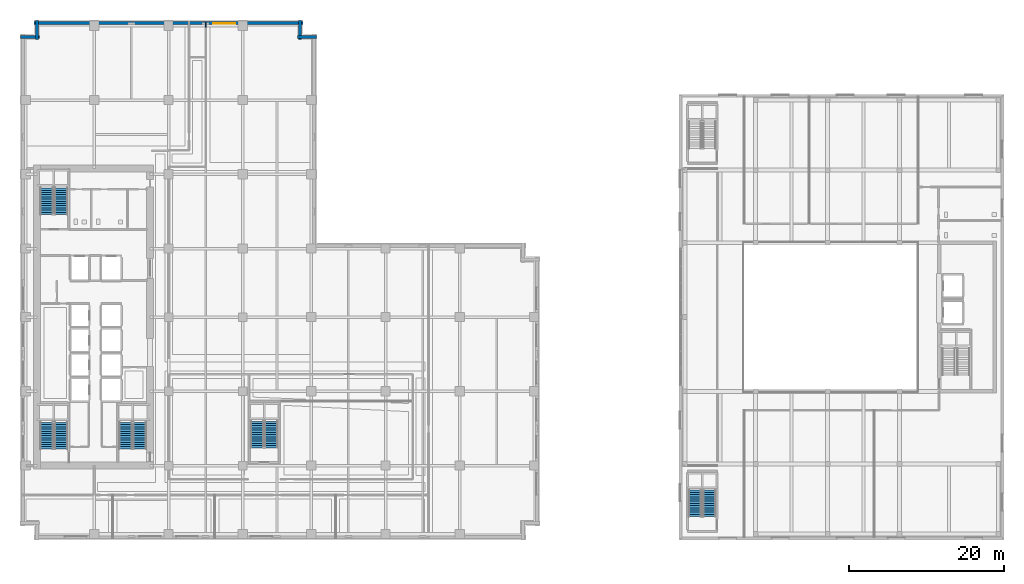
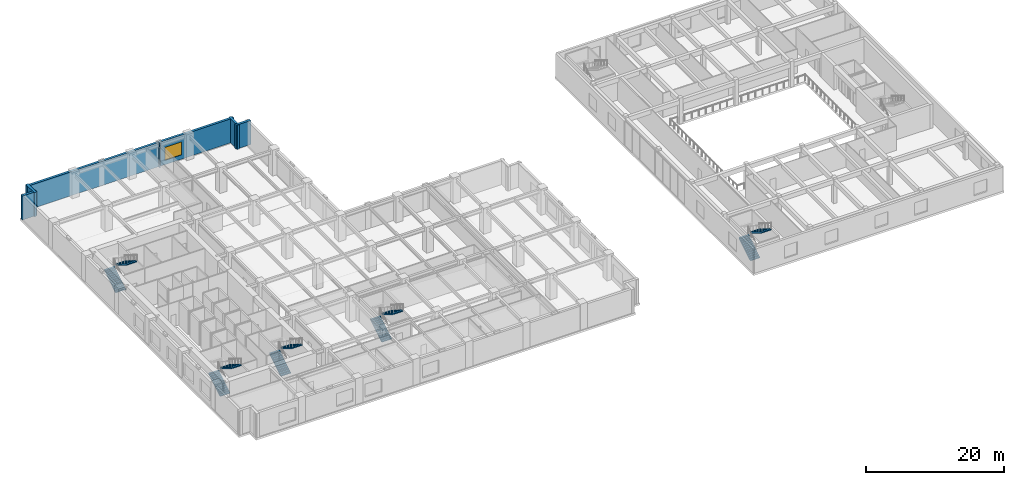
# One storey, part 12 of 24: 10 stair flights, 6 walls, 1 window, 1 opening, 5 elements without a shape of their own.
"""IFC4 building model written with IfcOpenShell, lengths in metres."""

from ifc_helpers import new_model, si_unit, direction, frame, frame_2d, origin, place, context, subcontext, project, spatial, polyline, rectangle, outline, extrude, material, layer, layer_set, type_object, element, fill, aggregate, save


model = new_model("IFC4")

# Units and contexts
model_context = context("Model", 3, precision=1e-05, world=origin(), true_north=direction((0.0, 1.0)))
body_context = subcontext(model_context, "Body", "Model", "MODEL_VIEW")
ifc_project = project(units=[si_unit("LENGTHUNIT", "METRE"), si_unit("AREAUNIT", "SQUARE_METRE"), si_unit("VOLUMEUNIT", "CUBIC_METRE"), si_unit("PLANEANGLEUNIT", "RADIAN"), si_unit("MASSUNIT", "GRAM", prefix="KILO")], contexts=[model_context])

# Site, building, storey
site_placement = place(None, origin())
site = spatial("IfcSite", under=ifc_project, at=site_placement, CompositionType="ELEMENT")
building_placement = place(site_placement, origin())
building = spatial("IfcBuilding", under=site, at=building_placement, Name="Norrvale University Quadrangle", CompositionType="ELEMENT")
storey_placement = place(building_placement, frame((0.0, 0.0, 10.39990234375)))
storey = spatial("IfcBuildingStorey", under=building, at=storey_placement, Name="L02", CompositionType="ELEMENT", Elevation=10.39990234375)

# Walls
ifc_material_1 = material(Name="Fire-Rated Gypsum Stud Partition")
ifc_layer_1 = layer(ifc_material_1, 0.14990234375, Name="Fire-Rated Gypsum Stud Partition")
ifc_layer_set_1 = layer_set([ifc_layer_1], Name="Fire-Rated Gypsum Stud Partition")
wall_type_1 = type_object("IfcWallType", Name="Wall Gypsum Corridor 150", PredefinedType="PARTITIONING", material=ifc_layer_set_1)
wall_1_placement = place(storey_placement, frame((24.0, 66.28759765625, 0.0), z_axis=(0.0, 0.0, 1.0), x_axis=(0.0, 1.0, 0.0)))
element("IfcWall", 1, at=wall_1_placement, inside=storey, type_object=wall_type_1, Name="Interior Partition WL-L02-NECW-B4", PredefinedType="PARTITIONING", context=body_context, shape_type="SweptSolid", body=[
    extrude(rectangle(XDim=0.6923828125, YDim=0.14990234375, at=frame_2d((0.34619140625, 0.0))), origin(), (0.0, 0.0, 1.0), 4.260009765625),
])
ifc_material_2 = material(Name="Red Manganese Brick Masonry", Category="masonry")
ifc_layer_2 = layer(ifc_material_2, 0.39990234375, Name="Red Manganese Brick Masonry")
ifc_layer_set_2 = layer_set([ifc_layer_2], Name="Red Manganese Brick Masonry")
wall_type_2 = type_object("IfcWallType", Name="Wall Red Brick 400", PredefinedType="SOLIDWALL", material=ifc_layer_set_2)
wall_2_placement = place(storey_placement, frame((38.360107421875, 65.02001953125, 0.0), z_axis=(0.0, 0.0, 1.0), x_axis=(-1.0, 0.0, 0.0)))
element("IfcWall", 2, at=wall_2_placement, inside=storey, type_object=wall_type_2, Name="Exterior Brick Facade Wall L02-09.1", PredefinedType="SOLIDWALL", context=body_context, shape_type="SweptSolid", body=[
    extrude(rectangle(XDim=2.480224609375, YDim=0.39990234375, at=frame_2d((1.240234375, 0.0))), origin(), (0.0, 0.0, 1.0), 4.260009765625),
])
wall_3_placement = place(storey_placement, frame((36.219970703125, 64.679931640625, 0.0), z_axis=(0.0, 0.0, 1.0), x_axis=(0.0, 1.0, 0.0)))
element("IfcWall", 3, at=wall_3_placement, inside=storey, type_object=wall_type_2, Name="Exterior Brick Facade Wall L02-10.1", PredefinedType="SOLIDWALL", context=body_context, shape_type="SweptSolid", body=[
    extrude(rectangle(XDim=2.47998046875, YDim=0.39990234375, at=frame_2d((1.239990234375, 0.0))), origin(), (0.0, 0.0, 1.0), 4.260009765625),
])

# Wall, opening, window
wall_4_placement = place(storey_placement, frame((36.56005859375, 66.820068359375, 0.0), z_axis=(0.0, 0.0, 1.0), x_axis=(-1.0, 0.0, 0.0)))
wall_4 = element("IfcWall", 4, at=wall_4_placement, inside=storey, type_object=wall_type_2, Name="Exterior Brick Facade Wall L02-11.1", PredefinedType="SOLIDWALL", context=body_context, shape_type="SweptSolid", body=[
    extrude(rectangle(XDim=34.719970703125, YDim=0.39990234375, at=frame_2d((17.35986328125, 0.0))), origin(), (0.0, 0.0, 1.0), 4.260009765625),
])
opening_placement = place(wall_4_placement, frame((8.760009765625, 0.0, 0.75)))
opening = element("IfcOpeningElement", 5, at=opening_placement, cuts=wall_4, Name="Opening W05", PredefinedType="OPENING", context=body_context, shape_type="SweptSolid", body=[
    extrude(rectangle(XDim=2.800048828125, YDim=2.300048828125, at=frame_2d((1.39990234375, 1.14990234375))), frame((0.0, 0.2119140625, 0.0), z_axis=(0.0, -1.0, 0.0), x_axis=(1.0, 0.0, 0.0)), (0.0, 0.0, 1.0), 0.423828125),
])
ifc_material_3 = material(Name="Bird-Friendly Fritted Triple Glazing", Category="glass")
window_type = type_object("IfcWindowType", Name="Window Podium 2800x2800", PartitioningType="TRIPLE_PANEL_VERTICAL", PredefinedType="WINDOW", material=ifc_material_3)
window_placement = place(opening_placement, origin())
window = element("IfcWindow", 6, at=window_placement, inside=storey, type_object=window_type, Name="Window Podium 2800x2800 WIN-L02-E11-1-01", OverallHeight=2.300048828125, OverallWidth=2.800048828125, PartitioningType="TRIPLE_PANEL_VERTICAL", PredefinedType="WINDOW", context=body_context, shape_type="SweptSolid", body=[
    extrude(rectangle(XDim=2.800048828125, YDim=2.300048828125, at=frame_2d((1.39990234375, 1.14990234375))), frame((0.0, 0.110107421875, 0.0), z_axis=(0.0, -1.0, 0.0), x_axis=(1.0, 0.0, 0.0)), (0.0, 0.0, 1.0), 0.06005859375),
])
fill(opening, window)

# Walls
for number, where, z_axis, x_axis, name in (
    (7, (2.179931640625, 67.159912109375, 0.0), (0.0, 0.0, 1.0), (0.0, -1.0, 0.0), "Exterior Brick Facade Wall L02-12.1"),
    (8, (2.52001953125, 65.02001953125, 0.0), (0.0, 0.0, 1.0), (-1.0, 0.0, 0.0), "Exterior Brick Facade Wall L02-13.1"),
):
    element("IfcWall", number, at=place(storey_placement, frame(where, z_axis=z_axis, x_axis=x_axis)), inside=storey, type_object=wall_type_2, Name=name, PredefinedType="SOLIDWALL", context=body_context, shape_type="SweptSolid", body=[
        extrude(rectangle(XDim=2.47998046875, YDim=0.39990234375, at=frame_2d((1.239990234375, 0.0))), origin(), (0.0, 0.0, 1.0), 4.260009765625),
    ])

# Stair, stair flights
ifc_material_4 = material(Name="Concrete C40/50", Category="concrete")
stair_type_1 = type_object("IfcStairType", Name="Stair Lib 4600", PredefinedType="TWO_STRAIGHT_RUN_STAIR", material=ifc_material_4)
stair_1_placement = place(storey_placement, origin())
stair_1 = element("IfcStair", 9, at=stair_1_placement, inside=storey, type_object=stair_type_1, Name="Exit Stair ST-L2 L02", PredefinedType="TWO_STRAIGHT_RUN_STAIR")
stair_flight_type_1 = type_object("IfcStairFlightType", Name="Flight Lib 1550", PredefinedType="STRAIGHT", material=ifc_material_4)
stair_flight_1_placement = place(storey_placement, frame((87.25, 3.0, 0.0), z_axis=(0.0, 0.0, 1.0), x_axis=(0.0, 1.0, 0.0)))
stair_flight_1 = element("IfcStairFlight", 10, at=stair_flight_1_placement, type_object=stair_flight_type_1, Name="Exit Stair ST-L2 L02 Lower Flight", NumberOfRisers=13, NumberOfTreads=12, PredefinedType="STRAIGHT", RiserHeight=0.176923, TreadLength=0.285, context=body_context, shape_type="SweptSolid", body=[
    extrude(outline(polyline([(0.0, 0.0), (0.0, 0.177001953125), (0.284912109375, 0.177001953125), (0.284912109375, 0.353759765625), (0.570068359375, 0.353759765625), (0.570068359375, 0.53076171875), (0.85498046875, 0.53076171875), (0.85498046875, 0.707763671875), (1.139892578125, 0.707763671875), (1.139892578125, 0.884521484375), (1.425048828125, 0.884521484375), (1.425048828125, 1.0615234375), (1.7099609375, 1.0615234375), (1.7099609375, 1.238525390625), (1.9951171875, 1.238525390625), (1.9951171875, 1.415283203125), (2.280029296875, 1.415283203125), (2.280029296875, 1.59228515625), (2.56494140625, 1.59228515625), (2.56494140625, 1.769287109375), (2.85009765625, 1.769287109375), (2.85009765625, 1.946044921875), (3.135009765625, 1.946044921875), (3.135009765625, 2.123046875), (3.419921875, 2.123046875), (3.419921875, 2.300048828125), (3.419921875, 1.934814453125), (0.30322265625, 0.0), (0.0, 0.0)])), frame((0.0, 0.81005859375, 0.0), z_axis=(0.0, -1.0, 0.0), x_axis=(1.0, 0.0, 0.0)), (0.0, 0.0, 1.0), 1.6201171875),
])
stair_flight_2_placement = place(storey_placement, frame((89.14990234375, 6.419921875, 2.300048828125), z_axis=(0.0, 0.0, 1.0), x_axis=(0.0, -1.0, 0.0)))
stair_flight_2 = element("IfcStairFlight", 11, at=stair_flight_2_placement, type_object=stair_flight_type_1, Name="Exit Stair ST-L2 L02 Upper Flight", NumberOfRisers=13, NumberOfTreads=12, PredefinedType="STRAIGHT", RiserHeight=0.176923, TreadLength=0.285, context=body_context, shape_type="SweptSolid", body=[
    extrude(outline(polyline([(0.0, 0.0), (0.0, 0.177001953125), (0.284912109375, 0.177001953125), (0.284912109375, 0.353759765625), (0.570068359375, 0.353759765625), (0.570068359375, 0.53076171875), (0.85498046875, 0.53076171875), (0.85498046875, 0.707763671875), (1.139892578125, 0.707763671875), (1.139892578125, 0.884521484375), (1.425048828125, 0.884521484375), (1.425048828125, 1.0615234375), (1.7099609375, 1.0615234375), (1.7099609375, 1.238525390625), (1.9951171875, 1.238525390625), (1.9951171875, 1.415283203125), (2.280029296875, 1.415283203125), (2.280029296875, 1.59228515625), (2.56494140625, 1.59228515625), (2.56494140625, 1.769287109375), (2.85009765625, 1.769287109375), (2.85009765625, 1.946044921875), (3.135009765625, 1.946044921875), (3.135009765625, 2.123046875), (3.419921875, 2.123046875), (3.419921875, 2.300048828125), (3.419921875, 1.934814453125), (0.30322265625, 0.0), (0.0, 0.0)])), frame((0.0, 0.81005859375, 0.0), z_axis=(0.0, -1.0, 0.0), x_axis=(1.0, 0.0, 0.0)), (0.0, 0.0, 1.0), 1.6201171875),
])
aggregate(stair_1, [stair_flight_1, stair_flight_2])

stair_type_2 = type_object("IfcStairType", Name="Stair Tower Pod 4600", PredefinedType="TWO_STRAIGHT_RUN_STAIR", material=ifc_material_4)
stair_2_placement = place(storey_placement, origin())
stair_2 = element("IfcStair", 12, at=stair_2_placement, inside=storey, type_object=stair_type_2, Name="Exit Stair ST-01 L02", PredefinedType="TWO_STRAIGHT_RUN_STAIR")
stair_flight_type_2 = type_object("IfcStairFlightType", Name="Flight Typ 1500", PredefinedType="STRAIGHT", material=ifc_material_4)
stair_flight_3_placement = place(storey_placement, frame((3.429931640625, 11.75, 0.0), z_axis=(0.0, 0.0, 1.0), x_axis=(0.0, 1.0, 0.0)))
stair_flight_3 = element("IfcStairFlight", 13, at=stair_flight_3_placement, type_object=stair_flight_type_2, Name="Exit Stair ST-01 L02 Lower Flight", NumberOfRisers=13, NumberOfTreads=12, PredefinedType="STRAIGHT", RiserHeight=0.176923, TreadLength=0.285, context=body_context, shape_type="SweptSolid", body=[
    extrude(outline(polyline([(0.0, 0.0), (0.0, 0.177001953125), (0.284912109375, 0.177001953125), (0.284912109375, 0.353759765625), (0.570068359375, 0.353759765625), (0.570068359375, 0.53076171875), (0.85498046875, 0.53076171875), (0.85498046875, 0.707763671875), (1.139892578125, 0.707763671875), (1.139892578125, 0.884521484375), (1.425048828125, 0.884521484375), (1.425048828125, 1.0615234375), (1.7099609375, 1.0615234375), (1.7099609375, 1.238525390625), (1.9951171875, 1.238525390625), (1.9951171875, 1.415283203125), (2.280029296875, 1.415283203125), (2.280029296875, 1.59228515625), (2.56494140625, 1.59228515625), (2.56494140625, 1.769287109375), (2.85009765625, 1.769287109375), (2.85009765625, 1.946044921875), (3.135009765625, 1.946044921875), (3.135009765625, 2.123046875), (3.419921875, 2.123046875), (3.419921875, 2.300048828125), (3.419921875, 1.946533203125), (0.2841796875, 0.0), (0.0, 0.0)])), frame((0.0, 0.83984375, 0.0), z_axis=(0.0, -1.0, 0.0), x_axis=(1.0, 0.0, 0.0)), (0.0, 0.0, 1.0), 1.679931640625),
])
stair_flight_4_placement = place(storey_placement, frame((5.320068359375, 15.169921875, 2.300048828125), z_axis=(0.0, 0.0, 1.0), x_axis=(0.0, -1.0, 0.0)))
stair_flight_4 = element("IfcStairFlight", 14, at=stair_flight_4_placement, type_object=stair_flight_type_2, Name="Exit Stair ST-01 L02 Upper Flight", NumberOfRisers=13, NumberOfTreads=12, PredefinedType="STRAIGHT", RiserHeight=0.176923, TreadLength=0.285, context=body_context, shape_type="SweptSolid", body=[
    extrude(outline(polyline([(0.0, 0.0), (0.0, 0.177001953125), (0.284912109375, 0.177001953125), (0.284912109375, 0.353759765625), (0.570068359375, 0.353759765625), (0.570068359375, 0.53076171875), (0.85498046875, 0.53076171875), (0.85498046875, 0.707763671875), (1.139892578125, 0.707763671875), (1.139892578125, 0.884521484375), (1.425048828125, 0.884521484375), (1.425048828125, 1.0615234375), (1.7099609375, 1.0615234375), (1.7099609375, 1.238525390625), (1.9951171875, 1.238525390625), (1.9951171875, 1.415283203125), (2.280029296875, 1.415283203125), (2.280029296875, 1.59228515625), (2.56494140625, 1.59228515625), (2.56494140625, 1.769287109375), (2.85009765625, 1.769287109375), (2.85009765625, 1.946044921875), (3.135009765625, 1.946044921875), (3.135009765625, 2.123046875), (3.419921875, 2.123046875), (3.419921875, 2.300048828125), (3.419921875, 1.946533203125), (0.2841796875, 0.0), (0.0, 0.0)])), frame((0.0, 0.83984375, 0.0), z_axis=(0.0, -1.0, 0.0), x_axis=(1.0, 0.0, 0.0)), (0.0, 0.0, 1.0), 1.679931640625),
])
aggregate(stair_2, [stair_flight_3, stair_flight_4])

stair_3_placement = place(storey_placement, origin())
stair_3 = element("IfcStair", 15, at=stair_3_placement, inside=storey, type_object=stair_type_2, Name="Exit Stair ST-02 L02", PredefinedType="TWO_STRAIGHT_RUN_STAIR")
stair_flight_5_placement = place(storey_placement, frame((3.429931640625, 42.050048828125, 0.0), z_axis=(0.0, 0.0, 1.0), x_axis=(0.0, 1.0, 0.0)))
stair_flight_5 = element("IfcStairFlight", 16, at=stair_flight_5_placement, type_object=stair_flight_type_2, Name="Exit Stair ST-02 L02 Lower Flight", NumberOfRisers=13, NumberOfTreads=12, PredefinedType="STRAIGHT", RiserHeight=0.176923, TreadLength=0.285, context=body_context, shape_type="SweptSolid", body=[
    extrude(outline(polyline([(0.0, 0.0), (0.0, 0.177001953125), (0.284912109375, 0.177001953125), (0.284912109375, 0.353759765625), (0.570068359375, 0.353759765625), (0.570068359375, 0.53076171875), (0.85498046875, 0.53076171875), (0.85498046875, 0.707763671875), (1.139892578125, 0.707763671875), (1.139892578125, 0.884521484375), (1.425048828125, 0.884521484375), (1.425048828125, 1.0615234375), (1.7099609375, 1.0615234375), (1.7099609375, 1.238525390625), (1.9951171875, 1.238525390625), (1.9951171875, 1.415283203125), (2.280029296875, 1.415283203125), (2.280029296875, 1.59228515625), (2.56494140625, 1.59228515625), (2.56494140625, 1.769287109375), (2.85009765625, 1.769287109375), (2.85009765625, 1.946044921875), (3.135009765625, 1.946044921875), (3.135009765625, 2.123046875), (3.419921875, 2.123046875), (3.419921875, 2.300048828125), (3.419921875, 1.946533203125), (0.2841796875, 0.0), (0.0, 0.0)])), frame((0.0, 0.83984375, 0.0), z_axis=(0.0, -1.0, 0.0), x_axis=(1.0, 0.0, 0.0)), (0.0, 0.0, 1.0), 1.679931640625),
])
stair_flight_6_placement = place(storey_placement, frame((5.320068359375, 45.469970703125, 2.300048828125), z_axis=(0.0, 0.0, 1.0), x_axis=(0.0, -1.0, 0.0)))
stair_flight_6 = element("IfcStairFlight", 17, at=stair_flight_6_placement, type_object=stair_flight_type_2, Name="Exit Stair ST-02 L02 Upper Flight", NumberOfRisers=13, NumberOfTreads=12, PredefinedType="STRAIGHT", RiserHeight=0.176923, TreadLength=0.285, context=body_context, shape_type="SweptSolid", body=[
    extrude(outline(polyline([(0.0, 0.0), (0.0, 0.177001953125), (0.284912109375, 0.177001953125), (0.284912109375, 0.353759765625), (0.570068359375, 0.353759765625), (0.570068359375, 0.53076171875), (0.85498046875, 0.53076171875), (0.85498046875, 0.707763671875), (1.139892578125, 0.707763671875), (1.139892578125, 0.884521484375), (1.425048828125, 0.884521484375), (1.425048828125, 1.0615234375), (1.7099609375, 1.0615234375), (1.7099609375, 1.238525390625), (1.9951171875, 1.238525390625), (1.9951171875, 1.415283203125), (2.280029296875, 1.415283203125), (2.280029296875, 1.59228515625), (2.56494140625, 1.59228515625), (2.56494140625, 1.769287109375), (2.85009765625, 1.769287109375), (2.85009765625, 1.946044921875), (3.135009765625, 1.946044921875), (3.135009765625, 2.123046875), (3.419921875, 2.123046875), (3.419921875, 2.300048828125), (3.419921875, 1.946533203125), (0.2841796875, 0.0), (0.0, 0.0)])), frame((0.0, 0.83984375, 0.0), z_axis=(0.0, -1.0, 0.0), x_axis=(1.0, 0.0, 0.0)), (0.0, 0.0, 1.0), 1.679931640625),
])
aggregate(stair_3, [stair_flight_5, stair_flight_6])

stair_4_placement = place(storey_placement, origin())
stair_4 = element("IfcStair", 18, at=stair_4_placement, inside=storey, type_object=stair_type_2, Name="Exit Stair ST-03 L02", PredefinedType="TWO_STRAIGHT_RUN_STAIR")
stair_flight_7_placement = place(storey_placement, frame((13.6298828125, 11.75, 0.0), z_axis=(0.0, 0.0, 1.0), x_axis=(0.0, 1.0, 0.0)))
stair_flight_7 = element("IfcStairFlight", 19, at=stair_flight_7_placement, type_object=stair_flight_type_2, Name="Exit Stair ST-03 L02 Lower Flight", NumberOfRisers=13, NumberOfTreads=12, PredefinedType="STRAIGHT", RiserHeight=0.176923, TreadLength=0.285, context=body_context, shape_type="SweptSolid", body=[
    extrude(outline(polyline([(0.0, 0.0), (0.0, 0.177001953125), (0.284912109375, 0.177001953125), (0.284912109375, 0.353759765625), (0.570068359375, 0.353759765625), (0.570068359375, 0.53076171875), (0.85498046875, 0.53076171875), (0.85498046875, 0.707763671875), (1.139892578125, 0.707763671875), (1.139892578125, 0.884521484375), (1.425048828125, 0.884521484375), (1.425048828125, 1.0615234375), (1.7099609375, 1.0615234375), (1.7099609375, 1.238525390625), (1.9951171875, 1.238525390625), (1.9951171875, 1.415283203125), (2.280029296875, 1.415283203125), (2.280029296875, 1.59228515625), (2.56494140625, 1.59228515625), (2.56494140625, 1.769287109375), (2.85009765625, 1.769287109375), (2.85009765625, 1.946044921875), (3.135009765625, 1.946044921875), (3.135009765625, 2.123046875), (3.419921875, 2.123046875), (3.419921875, 2.300048828125), (3.419921875, 1.946533203125), (0.2841796875, 0.0), (0.0, 0.0)])), frame((0.0, 0.83984375, 0.0), z_axis=(0.0, -1.0, 0.0), x_axis=(1.0, 0.0, 0.0)), (0.0, 0.0, 1.0), 1.679931640625),
])
stair_flight_8_placement = place(storey_placement, frame((15.52001953125, 15.169921875, 2.300048828125), z_axis=(0.0, 0.0, 1.0), x_axis=(0.0, -1.0, 0.0)))
stair_flight_8 = element("IfcStairFlight", 20, at=stair_flight_8_placement, type_object=stair_flight_type_2, Name="Exit Stair ST-03 L02 Upper Flight", NumberOfRisers=13, NumberOfTreads=12, PredefinedType="STRAIGHT", RiserHeight=0.176923, TreadLength=0.285, context=body_context, shape_type="SweptSolid", body=[
    extrude(outline(polyline([(0.0, 0.0), (0.0, 0.177001953125), (0.284912109375, 0.177001953125), (0.284912109375, 0.353759765625), (0.570068359375, 0.353759765625), (0.570068359375, 0.53076171875), (0.85498046875, 0.53076171875), (0.85498046875, 0.707763671875), (1.139892578125, 0.707763671875), (1.139892578125, 0.884521484375), (1.425048828125, 0.884521484375), (1.425048828125, 1.0615234375), (1.7099609375, 1.0615234375), (1.7099609375, 1.238525390625), (1.9951171875, 1.238525390625), (1.9951171875, 1.415283203125), (2.280029296875, 1.415283203125), (2.280029296875, 1.59228515625), (2.56494140625, 1.59228515625), (2.56494140625, 1.769287109375), (2.85009765625, 1.769287109375), (2.85009765625, 1.946044921875), (3.135009765625, 1.946044921875), (3.135009765625, 2.123046875), (3.419921875, 2.123046875), (3.419921875, 2.300048828125), (3.419921875, 1.946533203125), (0.2841796875, 0.0), (0.0, 0.0)])), frame((0.0, 0.83984375, 0.0), z_axis=(0.0, -1.0, 0.0), x_axis=(1.0, 0.0, 0.0)), (0.0, 0.0, 1.0), 1.679931640625),
])
aggregate(stair_4, [stair_flight_7, stair_flight_8])

stair_5_placement = place(storey_placement, origin())
stair_5 = element("IfcStair", 21, at=stair_5_placement, inside=storey, type_object=stair_type_2, Name="Exit Stair ST-04 L02", PredefinedType="TWO_STRAIGHT_RUN_STAIR")
stair_flight_9_placement = place(storey_placement, frame((30.6298828125, 11.89990234375, 0.0), z_axis=(0.0, 0.0, 1.0), x_axis=(0.0, 1.0, 0.0)))
stair_flight_9 = element("IfcStairFlight", 22, at=stair_flight_9_placement, type_object=stair_flight_type_2, Name="Exit Stair ST-04 L02 Lower Flight", NumberOfRisers=13, NumberOfTreads=12, PredefinedType="STRAIGHT", RiserHeight=0.176923, TreadLength=0.285, context=body_context, shape_type="SweptSolid", body=[
    extrude(outline(polyline([(0.0, 0.0), (0.0, 0.177001953125), (0.284912109375, 0.177001953125), (0.284912109375, 0.353759765625), (0.570068359375, 0.353759765625), (0.570068359375, 0.53076171875), (0.85498046875, 0.53076171875), (0.85498046875, 0.707763671875), (1.139892578125, 0.707763671875), (1.139892578125, 0.884521484375), (1.425048828125, 0.884521484375), (1.425048828125, 1.0615234375), (1.7099609375, 1.0615234375), (1.7099609375, 1.238525390625), (1.9951171875, 1.238525390625), (1.9951171875, 1.415283203125), (2.280029296875, 1.415283203125), (2.280029296875, 1.59228515625), (2.56494140625, 1.59228515625), (2.56494140625, 1.769287109375), (2.85009765625, 1.769287109375), (2.85009765625, 1.946044921875), (3.135009765625, 1.946044921875), (3.135009765625, 2.123046875), (3.419921875, 2.123046875), (3.419921875, 2.300048828125), (3.419921875, 1.946533203125), (0.2841796875, 0.0), (0.0, 0.0)])), frame((0.0, 0.83984375, 0.0), z_axis=(0.0, -1.0, 0.0), x_axis=(1.0, 0.0, 0.0)), (0.0, 0.0, 1.0), 1.679931640625),
])
stair_flight_10_placement = place(storey_placement, frame((32.52001953125, 15.320068359375, 2.300048828125), z_axis=(0.0, 0.0, 1.0), x_axis=(0.0, -1.0, 0.0)))
stair_flight_10 = element("IfcStairFlight", 23, at=stair_flight_10_placement, type_object=stair_flight_type_2, Name="Exit Stair ST-04 L02 Upper Flight", NumberOfRisers=13, NumberOfTreads=12, PredefinedType="STRAIGHT", RiserHeight=0.176923, TreadLength=0.285, context=body_context, shape_type="SweptSolid", body=[
    extrude(outline(polyline([(0.0, 0.0), (0.0, 0.177001953125), (0.284912109375, 0.177001953125), (0.284912109375, 0.353759765625), (0.570068359375, 0.353759765625), (0.570068359375, 0.53076171875), (0.85498046875, 0.53076171875), (0.85498046875, 0.707763671875), (1.139892578125, 0.707763671875), (1.139892578125, 0.884521484375), (1.425048828125, 0.884521484375), (1.425048828125, 1.0615234375), (1.7099609375, 1.0615234375), (1.7099609375, 1.238525390625), (1.9951171875, 1.238525390625), (1.9951171875, 1.415283203125), (2.280029296875, 1.415283203125), (2.280029296875, 1.59228515625), (2.56494140625, 1.59228515625), (2.56494140625, 1.769287109375), (2.85009765625, 1.769287109375), (2.85009765625, 1.946044921875), (3.135009765625, 1.946044921875), (3.135009765625, 2.123046875), (3.419921875, 2.123046875), (3.419921875, 2.300048828125), (3.419921875, 1.946533203125), (0.2841796875, 0.0), (0.0, 0.0)])), frame((0.0, 0.83984375, 0.0), z_axis=(0.0, -1.0, 0.0), x_axis=(1.0, 0.0, 0.0)), (0.0, 0.0, 1.0), 1.679931640625),
])
aggregate(stair_5, [stair_flight_9, stair_flight_10])

save(model, "model.ifc")
